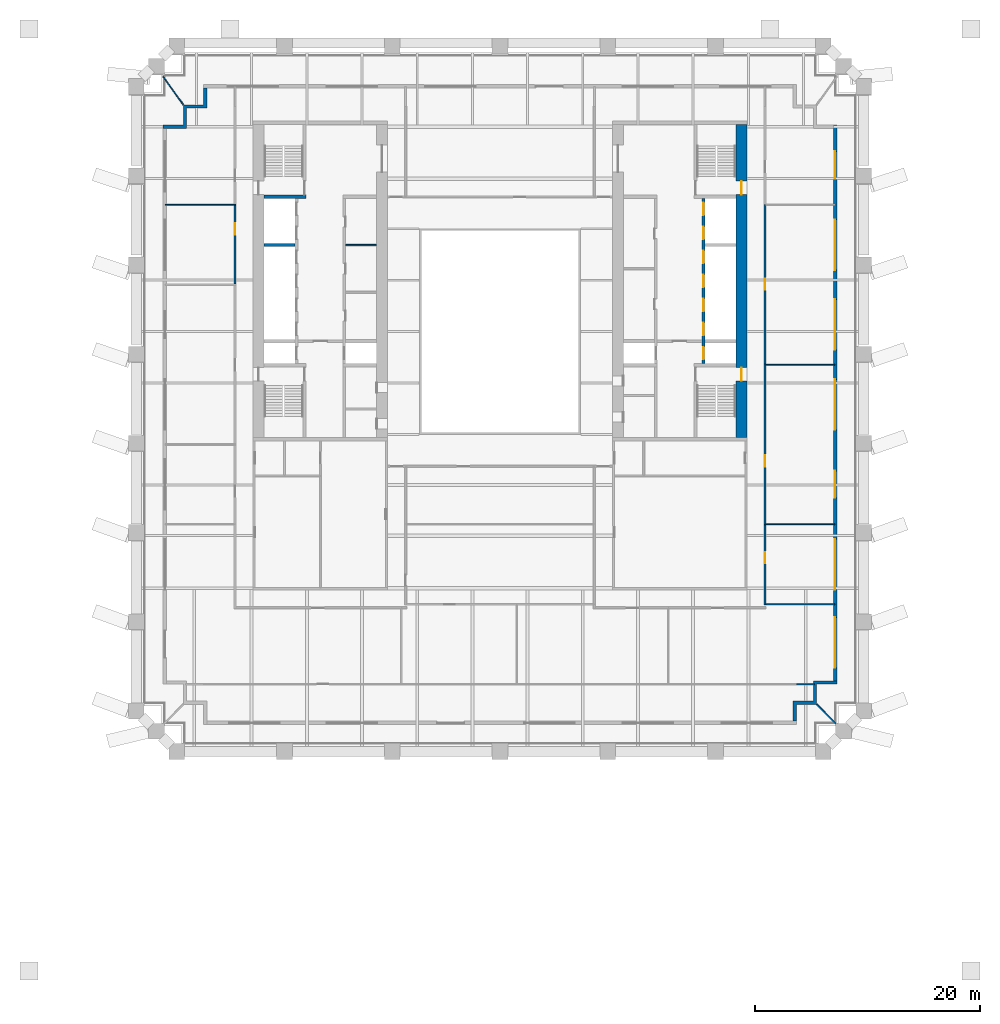
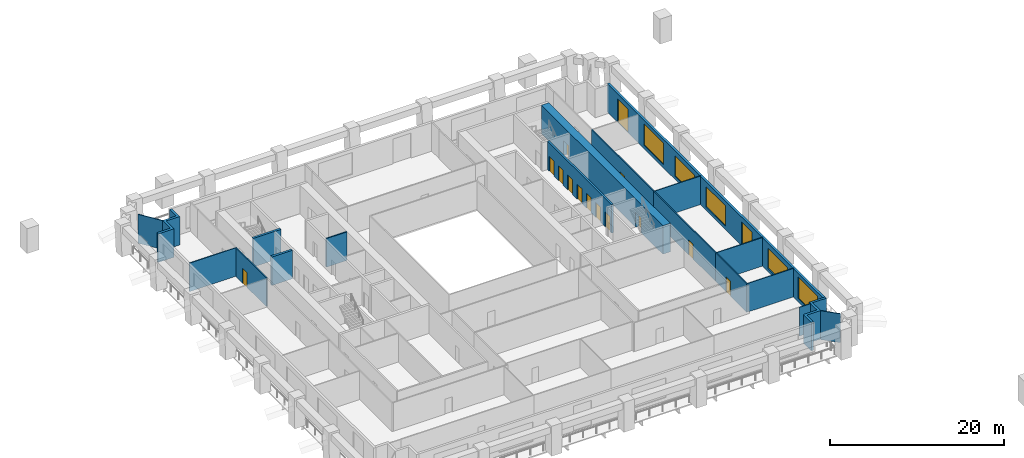
# One storey, part 6 of 10: 19 walls, 15 doors, 5 windows, 20 openings.
"""IFC4 building model written with IfcOpenShell, lengths in metres."""

from ifc_helpers import new_model, si_unit, direction, frame, frame_2d, origin, place, context, subcontext, project, spatial, polyline, rectangle, outline, extrude, material, layer, layer_set, type_object, element, fill, save


model = new_model("IFC4")

# Units and contexts
model_context = context("Model", 3, precision=1e-05, world=origin(), true_north=direction((0.0, 1.0)))
body_context = subcontext(model_context, "Body", "Model", "MODEL_VIEW")
ifc_project = project(units=[si_unit("LENGTHUNIT", "METRE"), si_unit("AREAUNIT", "SQUARE_METRE"), si_unit("VOLUMEUNIT", "CUBIC_METRE"), si_unit("PLANEANGLEUNIT", "RADIAN"), si_unit("MASSUNIT", "GRAM", prefix="KILO")], contexts=[model_context])

# Site, building, storey
site_placement = place(None, origin())
site = spatial("IfcSite", under=ifc_project, at=site_placement, CompositionType="ELEMENT")
building_placement = place(site_placement, origin())
building = spatial("IfcBuilding", under=site, at=building_placement, Name="Ogive Exchange Tower", CompositionType="ELEMENT")
storey_placement = place(building_placement, frame((0.0, 0.0, 43.800048828125)))
storey = spatial("IfcBuildingStorey", under=building, at=storey_placement, Name="L08", CompositionType="ELEMENT", Elevation=43.800048828125)

# Wall
ifc_material_1 = material(Name="Gypsum board partition")
ifc_layer_1 = layer(ifc_material_1, 0.14990234375)
ifc_layer_set_1 = layer_set([ifc_layer_1], Name="Core room partition 150 gypsum")
wall_type_1 = type_object("IfcWallType", Name="Core room partition 150 gypsum", PredefinedType="PARTITIONING", material=ifc_layer_set_1)
wall_1_placement = place(storey_placement, frame((-13.75, 14.699951171875, 0.0), z_axis=(0.0, 0.0, 1.0), x_axis=(1.0, 0.0, 0.0)))
element("IfcWall", 1, at=wall_1_placement, inside=storey, type_object=wall_type_1, Name="W row B bay partition 1-2", PredefinedType="PARTITIONING", context=body_context, shape_type="SweptSolid", body=[
    extrude(rectangle(XDim=2.75, YDim=0.14990234375, at=frame_2d((1.375, 0.0))), origin(), (0.0, 0.0, 1.0), 4.0),
])

# Wall, opening, door
ifc_material_2 = material(Name="Fire partition EI 60 150")
ifc_layer_2 = layer(ifc_material_2, 0.14990234375)
ifc_layer_set_2 = layer_set([ifc_layer_2], Name="Fire partition EI 60 150")
wall_type_2 = type_object("IfcWallType", Name="Fire partition EI 60 150", PredefinedType="PARTITIONING", material=ifc_layer_set_2)
wall_2_placement = place(storey_placement, frame((-23.60009765625, 11.219970703125, 0.0), z_axis=(0.0, 0.0, 1.0), x_axis=(0.0, 1.0, 0.0)))
wall_2 = element("IfcWall", 2, at=wall_2_placement, inside=storey, type_object=wall_type_2, Name="L08-PWL-010", PredefinedType="PARTITIONING", context=body_context, shape_type="SweptSolid", body=[
    extrude(rectangle(XDim=7.02001953125, YDim=0.14990234375, at=frame_2d((3.510009765625, 0.0))), origin(), (0.0, 0.0, 1.0), 4.0),
])
opening_1_placement = place(wall_2_placement, frame((4.419921875, 0.0, 0.0)))
opening_1 = element("IfcOpeningElement", 3, at=opening_1_placement, cuts=wall_2, Name="Opening L08-I04", PredefinedType="OPENING", context=body_context, shape_type="SweptSolid", body=[
    extrude(rectangle(XDim=1.0, YDim=2.10009765625, at=frame_2d((0.5, 1.050048828125))), frame((0.0, 0.0849609375, 0.0), z_axis=(0.0, -1.0, 0.0), x_axis=(1.0, 0.0, 0.0)), (0.0, 0.0, 1.0), 0.169921875),
])
ifc_material_3 = material(Name="Fire door FD 30S 1000 x 2100")
door_type_1 = type_object("IfcDoorType", Name="Fire door FD 30S 1000 x 2100", OperationType="NOTDEFINED", PredefinedType="DOOR", material=ifc_material_3)
door_1_placement = place(opening_1_placement, origin())
door_1 = element("IfcDoor", 4, at=door_1_placement, inside=storey, type_object=door_type_1, Name="L08-IDR-004", ObjectType="DT3", OperationType="SINGLE_SWING_LEFT", OverallHeight=2.10009765625, OverallWidth=1.0, PredefinedType="DOOR", context=body_context, shape_type="SweptSolid", body=[
    extrude(rectangle(XDim=1.0, YDim=2.10009765625, at=frame_2d((0.5, 1.050048828125))), frame((0.0, 0.02490234375, 0.0), z_axis=(0.0, -1.0, 0.0), x_axis=(1.0, 0.0, 0.0)), (0.0, 0.0, 1.0), 0.050048828125),
])
fill(opening_1, door_1)

wall_3_placement = place(storey_placement, frame((23.60009765625, -10.219970703125, 0.0), z_axis=(0.0, 0.0, 1.0), x_axis=(0.0, -1.0, 0.0)))
wall_3 = element("IfcWall", 5, at=wall_3_placement, inside=storey, type_object=wall_type_2, Name="L08-PWL-038", PredefinedType="PARTITIONING", context=body_context, shape_type="SweptSolid", body=[
    extrude(rectangle(XDim=7.1201171875, YDim=0.14990234375, at=frame_2d((3.56005859375, 0.0))), origin(), (0.0, 0.0, 1.0), 4.0),
])
opening_2_placement = place(wall_3_placement, frame((2.419921875, 0.0, 0.0)))
opening_2 = element("IfcOpeningElement", 6, at=opening_2_placement, cuts=wall_3, Name="Opening L08-I15", PredefinedType="OPENING", context=body_context, shape_type="SweptSolid", body=[
    extrude(rectangle(XDim=1.0, YDim=2.10009765625, at=frame_2d((0.5, 1.050048828125))), frame((0.0, 0.0849609375, 0.0), z_axis=(0.0, -1.0, 0.0), x_axis=(1.0, 0.0, 0.0)), (0.0, 0.0, 1.0), 0.169921875),
])
door_2_placement = place(opening_2_placement, origin())
door_2 = element("IfcDoor", 7, at=door_2_placement, inside=storey, type_object=door_type_1, Name="L08-IDR-015", ObjectType="DT3", OperationType="SINGLE_SWING_RIGHT", OverallHeight=2.10009765625, OverallWidth=1.0, PredefinedType="DOOR", context=body_context, shape_type="SweptSolid", body=[
    extrude(rectangle(XDim=1.0, YDim=2.10009765625, at=frame_2d((0.5, 1.050048828125))), frame((0.0, 0.02490234375, 0.0), z_axis=(0.0, -1.0, 0.0), x_axis=(1.0, 0.0, 0.0)), (0.0, 0.0, 1.0), 0.050048828125),
])
fill(opening_2, door_2)

wall_4_placement = place(storey_placement, frame((23.60009765625, 4.110107421875, 0.0), z_axis=(0.0, 0.0, 1.0), x_axis=(0.0, -1.0, 0.0)))
wall_4 = element("IfcWall", 8, at=wall_4_placement, inside=storey, type_object=wall_type_2, Name="L08-PWL-039", PredefinedType="PARTITIONING", context=body_context, shape_type="SweptSolid", body=[
    extrude(rectangle(XDim=14.330078125, YDim=0.14990234375, at=frame_2d((7.1650390625, 0.0))), origin(), (0.0, 0.0, 1.0), 4.0),
])
opening_3_placement = place(wall_4_placement, frame((8.1298828125, 0.0, 0.0)))
opening_3 = element("IfcOpeningElement", 9, at=opening_3_placement, cuts=wall_4, Name="Opening L08-I05", PredefinedType="OPENING", context=body_context, shape_type="SweptSolid", body=[
    extrude(rectangle(XDim=1.0, YDim=2.10009765625, at=frame_2d((0.5, 1.050048828125))), frame((0.0, 0.0849609375, 0.0), z_axis=(0.0, -1.0, 0.0), x_axis=(1.0, 0.0, 0.0)), (0.0, 0.0, 1.0), 0.169921875),
])
door_3_placement = place(opening_3_placement, origin())
door_3 = element("IfcDoor", 10, at=door_3_placement, inside=storey, type_object=door_type_1, Name="L08-IDR-005", ObjectType="DT3", OperationType="SINGLE_SWING_LEFT", OverallHeight=2.10009765625, OverallWidth=1.0, PredefinedType="DOOR", context=body_context, shape_type="SweptSolid", body=[
    extrude(rectangle(XDim=1.0, YDim=2.10009765625, at=frame_2d((0.5, 1.050048828125))), frame((0.0, 0.02490234375, 0.0), z_axis=(0.0, -1.0, 0.0), x_axis=(1.0, 0.0, 0.0)), (0.0, 0.0, 1.0), 0.050048828125),
])
fill(opening_3, door_3)

wall_5_placement = place(storey_placement, frame((23.60009765625, 18.340087890625, 0.0), z_axis=(0.0, 0.0, 1.0), x_axis=(0.0, -1.0, 0.0)))
wall_5 = element("IfcWall", 11, at=wall_5_placement, inside=storey, type_object=wall_type_2, Name="L08-PWL-041", PredefinedType="PARTITIONING", context=body_context, shape_type="SweptSolid", body=[
    extrude(rectangle(XDim=14.22998046875, YDim=0.14990234375, at=frame_2d((7.114990234375, 0.0))), origin(), (0.0, 0.0, 1.0), 4.0),
])
opening_4_placement = place(wall_5_placement, frame((6.6298828125, 0.0, 0.0)))
opening_4 = element("IfcOpeningElement", 12, at=opening_4_placement, cuts=wall_5, Name="Opening L08-I06", PredefinedType="OPENING", context=body_context, shape_type="SweptSolid", body=[
    extrude(rectangle(XDim=1.0, YDim=2.10009765625, at=frame_2d((0.5, 1.050048828125))), frame((0.0, 0.0849609375, 0.0), z_axis=(0.0, -1.0, 0.0), x_axis=(1.0, 0.0, 0.0)), (0.0, 0.0, 1.0), 0.169921875),
])
door_4_placement = place(opening_4_placement, origin())
door_4 = element("IfcDoor", 13, at=door_4_placement, inside=storey, type_object=door_type_1, Name="L08-IDR-006", ObjectType="DT3", OperationType="SINGLE_SWING_LEFT", OverallHeight=2.10009765625, OverallWidth=1.0, PredefinedType="DOOR", context=body_context, shape_type="SweptSolid", body=[
    extrude(rectangle(XDim=1.0, YDim=2.10009765625, at=frame_2d((0.5, 1.050048828125))), frame((0.0, 0.02490234375, 0.0), z_axis=(0.0, -1.0, 0.0), x_axis=(1.0, 0.0, 0.0)), (0.0, 0.0, 1.0), 0.050048828125),
])
fill(opening_4, door_4)

# Wall, openings, doors, windows
ifc_material_4 = material(Name="Precast concrete C40/50", Category="concrete")
ifc_layer_3 = layer(ifc_material_4, 0.300048828125)
ifc_layer_set_3 = layer_set([ifc_layer_3], Name="Limestone-faced wall 300")
wall_type_3 = type_object("IfcWallType", Name="Limestone-faced wall 300", PredefinedType="STANDARD", material=ifc_layer_set_3)
wall_6_placement = place(storey_placement, frame((29.85009765625, -24.10009765625, 0.0), z_axis=(0.0, 0.0, 1.0), x_axis=(0.0, 1.0, 0.0)))
wall_6 = element("IfcWall", 14, at=wall_6_placement, inside=storey, type_object=wall_type_3, Name="External wall E2", PredefinedType="STANDARD", context=body_context, shape_type="SweptSolid", body=[
    extrude(rectangle(XDim=49.5, YDim=0.300048828125, at=frame_2d((24.75, 0.0))), origin(), (0.0, 0.0, 1.0), 4.0),
])
opening_5_placement = place(wall_6_placement, frame((1.156982421875, 0.0, 0.449951171875)))
opening_5 = element("IfcOpeningElement", 15, at=opening_5_placement, cuts=wall_6, Name="Opening W1", PredefinedType="OPENING", context=body_context, shape_type="SweptSolid", body=[
    extrude(rectangle(XDim=4.5, YDim=3.050048828125, at=frame_2d((2.25, 1.52490234375))), frame((0.0, 0.159912109375, 0.0), z_axis=(0.0, -1.0, 0.0), x_axis=(1.0, 0.0, 0.0)), (0.0, 0.0, 1.0), 0.320068359375),
])
opening_6_placement = place(wall_6_placement, frame((8.121337890625, 0.0, 0.449951171875)))
opening_6 = element("IfcOpeningElement", 16, at=opening_6_placement, cuts=wall_6, Name="Opening W1E", PredefinedType="OPENING", context=body_context, shape_type="SweptSolid", body=[
    extrude(rectangle(XDim=4.5, YDim=2.824951171875, at=frame_2d((2.25, 1.41259765625))), frame((0.0, 0.159912109375, 0.0), z_axis=(0.0, -1.0, 0.0), x_axis=(1.0, 0.0, 0.0)), (0.0, 0.0, 1.0), 0.320068359375),
])
opening_7_placement = place(wall_6_placement, frame((16.28564453125, 0.0, 0.0)))
opening_7 = element("IfcOpeningElement", 17, at=opening_7_placement, cuts=wall_6, Name="Opening D1C", PredefinedType="OPENING", context=body_context, shape_type="SweptSolid", body=[
    extrude(rectangle(XDim=2.39990234375, YDim=3.324951171875, at=frame_2d((1.199951171875, 1.66259765625))), frame((0.0, 0.159912109375, 0.0), z_axis=(0.0, -1.0, 0.0), x_axis=(1.0, 0.0, 0.0)), (0.0, 0.0, 1.0), 0.320068359375),
])
opening_8_placement = place(wall_6_placement, frame((22.35009765625, 0.0, 0.449951171875)))
opening_8 = element("IfcOpeningElement", 18, at=opening_8_placement, cuts=wall_6, Name="Opening W1D", PredefinedType="OPENING", context=body_context, shape_type="SweptSolid", body=[
    extrude(rectangle(XDim=4.5, YDim=2.875, at=frame_2d((2.25, 1.4375))), frame((0.0, 0.159912109375, 0.0), z_axis=(0.0, -1.0, 0.0), x_axis=(1.0, 0.0, 0.0)), (0.0, 0.0, 1.0), 0.320068359375),
])
opening_9_placement = place(wall_6_placement, frame((29.464111328125, 0.0, 0.449951171875)))
opening_9 = element("IfcOpeningElement", 19, at=opening_9_placement, cuts=wall_6, Name="Opening W1D", PredefinedType="OPENING", context=body_context, shape_type="SweptSolid", body=[
    extrude(rectangle(XDim=4.5, YDim=2.875, at=frame_2d((2.25, 1.4375))), frame((0.0, 0.159912109375, 0.0), z_axis=(0.0, -1.0, 0.0), x_axis=(1.0, 0.0, 0.0)), (0.0, 0.0, 1.0), 0.320068359375),
])
opening_10_placement = place(wall_6_placement, frame((36.57861328125, 0.0, 0.449951171875)))
opening_10 = element("IfcOpeningElement", 20, at=opening_10_placement, cuts=wall_6, Name="Opening W1", PredefinedType="OPENING", context=body_context, shape_type="SweptSolid", body=[
    extrude(rectangle(XDim=4.5, YDim=3.050048828125, at=frame_2d((2.25, 1.52490234375))), frame((0.0, 0.159912109375, 0.0), z_axis=(0.0, -1.0, 0.0), x_axis=(1.0, 0.0, 0.0)), (0.0, 0.0, 1.0), 0.320068359375),
])
opening_11_placement = place(wall_6_placement, frame((44.742919921875, 0.0, 0.0)))
opening_11 = element("IfcOpeningElement", 21, at=opening_11_placement, cuts=wall_6, Name="Opening D1C", PredefinedType="OPENING", context=body_context, shape_type="SweptSolid", body=[
    extrude(rectangle(XDim=2.39990234375, YDim=3.324951171875, at=frame_2d((1.199951171875, 1.66259765625))), frame((0.0, 0.159912109375, 0.0), z_axis=(0.0, -1.0, 0.0), x_axis=(1.0, 0.0, 0.0)), (0.0, 0.0, 1.0), 0.320068359375),
])
ifc_material_5 = material(Name="Clear glass in bronze frame", Category="glass")
door_type_2 = type_object("IfcDoorType", Name="Sliding loggia door 2400 x 3325", OperationType="DOUBLE_DOOR_SLIDING", PredefinedType="DOOR", material=ifc_material_5)
door_5_placement = place(opening_7_placement, origin())
door_5 = element("IfcDoor", 22, at=door_5_placement, inside=storey, type_object=door_type_2, Name="Loggia door E02", OperationType="DOUBLE_DOOR_SLIDING", OverallHeight=3.324951171875, OverallWidth=2.39990234375, PredefinedType="DOOR", context=body_context, shape_type="SweptSolid", body=[
    extrude(rectangle(XDim=2.39990234375, YDim=3.324951171875, at=frame_2d((1.199951171875, 1.66259765625))), frame((0.0, 0.02490234375, 0.0), z_axis=(0.0, -1.0, 0.0), x_axis=(1.0, 0.0, 0.0)), (0.0, 0.0, 1.0), 0.050048828125),
])
fill(opening_7, door_5)
door_6_placement = place(opening_11_placement, origin())
door_6 = element("IfcDoor", 23, at=door_6_placement, inside=storey, type_object=door_type_2, Name="Loggia door E06", OperationType="DOUBLE_DOOR_SLIDING", OverallHeight=3.324951171875, OverallWidth=2.39990234375, PredefinedType="DOOR", context=body_context, shape_type="SweptSolid", body=[
    extrude(rectangle(XDim=2.39990234375, YDim=3.324951171875, at=frame_2d((1.199951171875, 1.66259765625))), frame((0.0, 0.02490234375, 0.0), z_axis=(0.0, -1.0, 0.0), x_axis=(1.0, 0.0, 0.0)), (0.0, 0.0, 1.0), 0.050048828125),
])
fill(opening_11, door_6)
window_type_1 = type_object("IfcWindowType", Name="Twin lancet window 4500 x 2825", PartitioningType="DOUBLE_PANEL_VERTICAL", PredefinedType="WINDOW", material=ifc_material_5)
window_1_placement = place(opening_6_placement, origin())
window_1 = element("IfcWindow", 24, at=window_1_placement, inside=storey, type_object=window_type_1, Name="Window E01", OverallHeight=2.824951171875, OverallWidth=4.5, PartitioningType="DOUBLE_PANEL_VERTICAL", PredefinedType="WINDOW", context=body_context, shape_type="SweptSolid", body=[
    extrude(rectangle(XDim=4.5, YDim=2.824951171875, at=frame_2d((2.25, 1.41259765625))), frame((0.0, 0.030029296875, 0.0), z_axis=(0.0, -1.0, 0.0), x_axis=(1.0, 0.0, 0.0)), (0.0, 0.0, 1.0), 0.06005859375),
])
fill(opening_6, window_1)
window_type_2 = type_object("IfcWindowType", Name="Twin lancet window 4500 x 2875", PartitioningType="DOUBLE_PANEL_VERTICAL", PredefinedType="WINDOW", material=ifc_material_5)
window_2_placement = place(opening_8_placement, origin())
window_2 = element("IfcWindow", 25, at=window_2_placement, inside=storey, type_object=window_type_2, Name="Window E03", OverallHeight=2.875, OverallWidth=4.5, PartitioningType="DOUBLE_PANEL_VERTICAL", PredefinedType="WINDOW", context=body_context, shape_type="SweptSolid", body=[
    extrude(rectangle(XDim=4.5, YDim=2.875, at=frame_2d((2.25, 1.4375))), frame((0.0, 0.030029296875, 0.0), z_axis=(0.0, -1.0, 0.0), x_axis=(1.0, 0.0, 0.0)), (0.0, 0.0, 1.0), 0.06005859375),
])
fill(opening_8, window_2)
window_3_placement = place(opening_9_placement, origin())
window_3 = element("IfcWindow", 26, at=window_3_placement, inside=storey, type_object=window_type_2, Name="Window E04", OverallHeight=2.875, OverallWidth=4.5, PartitioningType="DOUBLE_PANEL_VERTICAL", PredefinedType="WINDOW", context=body_context, shape_type="SweptSolid", body=[
    extrude(rectangle(XDim=4.5, YDim=2.875, at=frame_2d((2.25, 1.4375))), frame((0.0, 0.030029296875, 0.0), z_axis=(0.0, -1.0, 0.0), x_axis=(1.0, 0.0, 0.0)), (0.0, 0.0, 1.0), 0.06005859375),
])
fill(opening_9, window_3)
window_type_3 = type_object("IfcWindowType", Name="Twin lancet window 4500 x 3050", PartitioningType="DOUBLE_PANEL_VERTICAL", PredefinedType="WINDOW", material=ifc_material_5)
window_4_placement = place(opening_5_placement, origin())
window_4 = element("IfcWindow", 27, at=window_4_placement, inside=storey, type_object=window_type_3, Name="Window E00", OverallHeight=3.050048828125, OverallWidth=4.5, PartitioningType="DOUBLE_PANEL_VERTICAL", PredefinedType="WINDOW", context=body_context, shape_type="SweptSolid", body=[
    extrude(rectangle(XDim=4.5, YDim=3.050048828125, at=frame_2d((2.25, 1.52490234375))), frame((0.0, 0.030029296875, 0.0), z_axis=(0.0, -1.0, 0.0), x_axis=(1.0, 0.0, 0.0)), (0.0, 0.0, 1.0), 0.06005859375),
])
fill(opening_5, window_4)
window_5_placement = place(opening_10_placement, origin())
window_5 = element("IfcWindow", 28, at=window_5_placement, inside=storey, type_object=window_type_3, Name="Window E05", OverallHeight=3.050048828125, OverallWidth=4.5, PartitioningType="DOUBLE_PANEL_VERTICAL", PredefinedType="WINDOW", context=body_context, shape_type="SweptSolid", body=[
    extrude(rectangle(XDim=4.5, YDim=3.050048828125, at=frame_2d((2.25, 1.52490234375))), frame((0.0, 0.030029296875, 0.0), z_axis=(0.0, -1.0, 0.0), x_axis=(1.0, 0.0, 0.0)), (0.0, 0.0, 1.0), 0.06005859375),
])
fill(opening_10, window_5)

# Walls
wall_7_placement = place(storey_placement, origin())
element("IfcWall", 29, at=wall_7_placement, inside=storey, type_object=wall_type_3, Name="External corner wall C1", PredefinedType="STANDARD", context=body_context, shape_type="SweptSolid", body=[
    extrude(outline(polyline([(27.89990234375, -25.89990234375), (27.89990234375, -24.10009765625), (30.0, -24.10009765625), (30.0, -24.39990234375), (28.199951171875, -24.39990234375), (28.199951171875, -26.199951171875), (26.39990234375, -26.199951171875), (26.39990234375, -27.699951171875), (26.10009765625, -27.699951171875), (26.10009765625, -25.89990234375), (27.89990234375, -25.89990234375)])), origin(), (0.0, 0.0, 1.0), 4.0),
])
wall_8_placement = place(storey_placement, origin())
element("IfcWall", 30, at=wall_8_placement, inside=storey, type_object=wall_type_3, Name="External corner wall C3", PredefinedType="STANDARD", context=body_context, shape_type="SweptSolid", body=[
    extrude(outline(polyline([(-28.199951171875, 25.39990234375), (-28.199951171875, 27.199951171875), (-26.39990234375, 27.199951171875), (-26.39990234375, 28.699951171875), (-26.10009765625, 28.699951171875), (-26.10009765625, 26.89990234375), (-27.89990234375, 26.89990234375), (-27.89990234375, 25.10009765625), (-30.0, 25.10009765625), (-30.0, 25.39990234375), (-28.199951171875, 25.39990234375)])), origin(), (0.0, 0.0, 1.0), 4.0),
])
ifc_material_6 = material(Name="Laminated safety glass in steel frame", Category="steel")
ifc_layer_4 = layer(ifc_material_6, 0.10009765625)
ifc_layer_set_4 = layer_set([ifc_layer_4], Name="Loggia end screen 100")
wall_type_4 = type_object("IfcWallType", Name="Loggia end screen 100", PredefinedType="STANDARD", material=ifc_layer_set_4)
wall_9_placement = place(storey_placement, frame((28.199951171875, -26.199951171875, -0.050048828125), z_axis=(0.0, 0.0, 1.0), x_axis=(0.707106781187, -0.707106781187, 0.0)))
element("IfcWall", 31, at=wall_9_placement, inside=storey, type_object=wall_type_4, Name="Loggia end screen C1", PredefinedType="STANDARD", context=body_context, shape_type="SweptSolid", body=[
    extrude(rectangle(XDim=2.384521484375, YDim=0.10009765625, at=frame_2d((1.1923828125, 0.0))), origin(), (0.0, 0.0, 1.0), 4.050048828125),
])
wall_10_placement = place(storey_placement, frame((-28.199951171875, 27.199951171875, -0.050048828125), z_axis=(0.0, 0.0, 1.0), x_axis=(-0.585017780353, 0.811020466246, 0.0)))
element("IfcWall", 32, at=wall_10_placement, inside=storey, type_object=wall_type_4, Name="Loggia end screen C3", PredefinedType="STANDARD", context=body_context, shape_type="SweptSolid", body=[
    extrude(rectangle(XDim=3.0927734375, YDim=0.10009765625, at=frame_2d((1.54638671875, 0.0))), origin(), (0.0, 0.0, 1.0), 4.050048828125),
])
ifc_material_7 = material(Name="Partition 100 gypsum")
ifc_layer_5 = layer(ifc_material_7, 0.10009765625)
ifc_layer_set_5 = layer_set([ifc_layer_5], Name="Partition 100 gypsum")
wall_type_5 = type_object("IfcWallType", Name="Partition 100 gypsum", PredefinedType="PARTITIONING", material=ifc_layer_set_5)
wall_11_placement = place(storey_placement, frame((-29.800048828125, 18.2900390625, 0.0), z_axis=(0.0, 0.0, 1.0), x_axis=(1.0, 0.0, 0.0)))
element("IfcWall", 33, at=wall_11_placement, inside=storey, type_object=wall_type_5, Name="L08-PWL-003", PredefinedType="PARTITIONING", context=body_context, shape_type="SweptSolid", body=[
    extrude(rectangle(XDim=6.275146484375, YDim=0.10009765625, at=frame_2d((3.1376953125, 0.0))), origin(), (0.0, 0.0, 1.0), 4.0),
])
wall_12_placement = place(storey_placement, frame((23.675048828125, 4.06005859375, 0.0), z_axis=(0.0, 0.0, 1.0), x_axis=(1.0, 0.0, 0.0)))
element("IfcWall", 34, at=wall_12_placement, inside=storey, type_object=wall_type_5, Name="L08-PWL-040", PredefinedType="PARTITIONING", context=body_context, shape_type="SweptSolid", body=[
    extrude(rectangle(XDim=6.125, YDim=0.10009765625, at=frame_2d((3.0625, 0.0))), origin(), (0.0, 0.0, 1.0), 4.0),
])
wall_13_placement = place(storey_placement, frame((26.409912109375, -24.409912109375, 0.0), z_axis=(0.0, 0.0, 1.0), x_axis=(1.0, 0.0, 0.0)))
element("IfcWall", 35, at=wall_13_placement, inside=storey, type_object=wall_type_5, Name="L08-PWL-044", PredefinedType="PARTITIONING", context=body_context, shape_type="SweptSolid", body=[
    extrude(rectangle(XDim=1.590087890625, YDim=0.10009765625, at=frame_2d((0.794921875, 0.0))), origin(), (0.0, 0.0, 1.0), 4.0),
])
for number, where, z_axis, x_axis, name in (
    (36, (29.800048828125, -17.2900390625, 0.0), (0.0, 0.0, 1.0), (-1.0, 0.0, 0.0), "L08-PWL-045"),
    (37, (29.800048828125, -10.169921875, 0.0), (0.0, 0.0, 1.0), (-1.0, 0.0, 0.0), "L08-PWL-046"),
):
    element("IfcWall", number, at=place(storey_placement, frame(where, z_axis=z_axis, x_axis=x_axis)), inside=storey, type_object=wall_type_5, Name=name, PredefinedType="PARTITIONING", context=body_context, shape_type="SweptSolid", body=[
        extrude(rectangle(XDim=6.125, YDim=0.10009765625, at=frame_2d((3.0625, 0.0))), origin(), (0.0, 0.0, 1.0), 4.0),
    ])

# Wall, openings, doors
ifc_material_8 = material(Name="Concrete C70/85", Category="concrete")
ifc_layer_6 = layer(ifc_material_8, 1.0)
ifc_layer_set_6 = layer_set([ifc_layer_6], Name="RC core wall 1000 C70/85")
wall_type_6 = type_object("IfcWallType", Name="RC core wall 1000 C70/85", PredefinedType="SHEAR", material=ifc_layer_set_6)
wall_14_placement = place(storey_placement, frame((21.5, -2.449951171875, 0.0), z_axis=(0.0, 0.0, 1.0), x_axis=(0.0, 1.0, 0.0)))
wall_14 = element("IfcWall", 38, at=wall_14_placement, inside=storey, type_object=wall_type_6, Name="E outer wall", PredefinedType="SHEAR", context=body_context, shape_type="SweptSolid", body=[
    extrude(rectangle(XDim=27.89990234375, YDim=1.0, at=frame_2d((13.949951171875, 0.0))), origin(), (0.0, 0.0, 1.0), 4.0),
])
opening_12_placement = place(wall_14_placement, frame((5.050048828125, 0.0, 0.0)))
opening_12 = element("IfcOpeningElement", 39, at=opening_12_placement, cuts=wall_14, Name="Opening L08-C37", PredefinedType="OPENING", context=body_context, shape_type="SweptSolid", body=[
    extrude(rectangle(XDim=1.199951171875, YDim=2.10009765625, at=frame_2d((0.60009765625, 1.050048828125))), frame((0.0, 0.510009765625, 0.0), z_axis=(0.0, -1.0, 0.0), x_axis=(1.0, 0.0, 0.0)), (0.0, 0.0, 1.0), 1.02001953125),
])
opening_13_placement = place(wall_14_placement, frame((21.64990234375, 0.0, 0.0)))
opening_13 = element("IfcOpeningElement", 40, at=opening_13_placement, cuts=wall_14, Name="Opening L08-C39", PredefinedType="OPENING", context=body_context, shape_type="SweptSolid", body=[
    extrude(rectangle(XDim=1.199951171875, YDim=2.10009765625, at=frame_2d((0.60009765625, 1.050048828125))), frame((0.0, 0.510009765625, 0.0), z_axis=(0.0, -1.0, 0.0), x_axis=(1.0, 0.0, 0.0)), (0.0, 0.0, 1.0), 1.02001953125),
])
ifc_material_9 = material(Name="Steel fire door", Category="steel")
door_type_3 = type_object("IfcDoorType", Name="Stair door FD90 1200 x 2100", OperationType="NOTDEFINED", PredefinedType="DOOR", material=ifc_material_9)
door_7_placement = place(opening_12_placement, origin())
door_7 = element("IfcDoor", 41, at=door_7_placement, inside=storey, type_object=door_type_3, Name="Stair door", ObjectType="CD5", OperationType="SINGLE_SWING_LEFT", OverallHeight=2.10009765625, OverallWidth=1.199951171875, PredefinedType="DOOR", context=body_context, shape_type="SweptSolid", body=[
    extrude(rectangle(XDim=1.199951171875, YDim=2.10009765625, at=frame_2d((0.60009765625, 1.050048828125))), frame((0.0, 0.02490234375, 0.0), z_axis=(0.0, -1.0, 0.0), x_axis=(1.0, 0.0, 0.0)), (0.0, 0.0, 1.0), 0.050048828125),
])
fill(opening_12, door_7)
door_8_placement = place(opening_13_placement, origin())
door_8 = element("IfcDoor", 42, at=door_8_placement, inside=storey, type_object=door_type_3, Name="Stair door", ObjectType="CD5", OperationType="SINGLE_SWING_RIGHT", OverallHeight=2.10009765625, OverallWidth=1.199951171875, PredefinedType="DOOR", context=body_context, shape_type="SweptSolid", body=[
    extrude(rectangle(XDim=1.199951171875, YDim=2.10009765625, at=frame_2d((0.60009765625, 1.050048828125))), frame((0.0, 0.02490234375, 0.0), z_axis=(0.0, -1.0, 0.0), x_axis=(1.0, 0.0, 0.0)), (0.0, 0.0, 1.0), 0.050048828125),
])
fill(opening_13, door_8)

ifc_layer_7 = layer(ifc_material_8, 0.25)
ifc_layer_set_7 = layer_set([ifc_layer_7], Name="RC core wall 250 C70/85")
wall_type_7 = type_object("IfcWallType", Name="RC core wall 250 C70/85", PredefinedType="SHEAR", material=ifc_layer_set_7)
wall_15_placement = place(storey_placement, frame((18.125, 4.14990234375, 0.0), z_axis=(0.0, 0.0, 1.0), x_axis=(0.0, 1.0, 0.0)))
wall_15 = element("IfcWall", 43, at=wall_15_placement, inside=storey, type_object=wall_type_7, Name="E row A front wall", PredefinedType="SHEAR", context=body_context, shape_type="SweptSolid", body=[
    extrude(rectangle(XDim=14.7001953125, YDim=0.25, at=frame_2d((7.35009765625, 0.0))), origin(), (0.0, 0.0, 1.0), 4.0),
])
opening_14_placement = place(wall_15_placement, frame((0.371337890625, 0.0, 0.0)))
opening_14 = element("IfcOpeningElement", 44, at=opening_14_placement, cuts=wall_15, Name="Opening L08-C24", PredefinedType="OPENING", context=body_context, shape_type="SweptSolid", body=[
    extrude(rectangle(XDim=1.10009765625, YDim=2.10009765625, at=frame_2d((0.550048828125, 1.050048828125))), frame((0.0, 0.135009765625, 0.0), z_axis=(0.0, -1.0, 0.0), x_axis=(1.0, 0.0, 0.0)), (0.0, 0.0, 1.0), 0.27001953125),
])
opening_15_placement = place(wall_15_placement, frame((2.514404296875, 0.0, 0.0)))
opening_15 = element("IfcOpeningElement", 45, at=opening_15_placement, cuts=wall_15, Name="Opening L08-C25", PredefinedType="OPENING", context=body_context, shape_type="SweptSolid", body=[
    extrude(rectangle(XDim=1.10009765625, YDim=2.10009765625, at=frame_2d((0.550048828125, 1.050048828125))), frame((0.0, 0.135009765625, 0.0), z_axis=(0.0, -1.0, 0.0), x_axis=(1.0, 0.0, 0.0)), (0.0, 0.0, 1.0), 0.27001953125),
])
opening_16_placement = place(wall_15_placement, frame((4.656982421875, 0.0, 0.0)))
opening_16 = element("IfcOpeningElement", 46, at=opening_16_placement, cuts=wall_15, Name="Opening L08-C26", PredefinedType="OPENING", context=body_context, shape_type="SweptSolid", body=[
    extrude(rectangle(XDim=1.10009765625, YDim=2.10009765625, at=frame_2d((0.550048828125, 1.050048828125))), frame((0.0, 0.135009765625, 0.0), z_axis=(0.0, -1.0, 0.0), x_axis=(1.0, 0.0, 0.0)), (0.0, 0.0, 1.0), 0.27001953125),
])
opening_17_placement = place(wall_15_placement, frame((6.800048828125, 0.0, 0.0)))
opening_17 = element("IfcOpeningElement", 47, at=opening_17_placement, cuts=wall_15, Name="Opening L08-C27", PredefinedType="OPENING", context=body_context, shape_type="SweptSolid", body=[
    extrude(rectangle(XDim=1.10009765625, YDim=2.10009765625, at=frame_2d((0.550048828125, 1.050048828125))), frame((0.0, 0.135009765625, 0.0), z_axis=(0.0, -1.0, 0.0), x_axis=(1.0, 0.0, 0.0)), (0.0, 0.0, 1.0), 0.27001953125),
])
opening_18_placement = place(wall_15_placement, frame((8.94287109375, 0.0, 0.0)))
opening_18 = element("IfcOpeningElement", 48, at=opening_18_placement, cuts=wall_15, Name="Opening L08-C28", PredefinedType="OPENING", context=body_context, shape_type="SweptSolid", body=[
    extrude(rectangle(XDim=1.10009765625, YDim=2.10009765625, at=frame_2d((0.550048828125, 1.050048828125))), frame((0.0, 0.135009765625, 0.0), z_axis=(0.0, -1.0, 0.0), x_axis=(1.0, 0.0, 0.0)), (0.0, 0.0, 1.0), 0.27001953125),
])
opening_19_placement = place(wall_15_placement, frame((11.085693359375, 0.0, 0.0)))
opening_19 = element("IfcOpeningElement", 49, at=opening_19_placement, cuts=wall_15, Name="Opening L08-C29", PredefinedType="OPENING", context=body_context, shape_type="SweptSolid", body=[
    extrude(rectangle(XDim=1.10009765625, YDim=2.10009765625, at=frame_2d((0.550048828125, 1.050048828125))), frame((0.0, 0.135009765625, 0.0), z_axis=(0.0, -1.0, 0.0), x_axis=(1.0, 0.0, 0.0)), (0.0, 0.0, 1.0), 0.27001953125),
])
opening_20_placement = place(wall_15_placement, frame((13.228515625, 0.0, 0.0)))
opening_20 = element("IfcOpeningElement", 50, at=opening_20_placement, cuts=wall_15, Name="Opening L08-C30", PredefinedType="OPENING", context=body_context, shape_type="SweptSolid", body=[
    extrude(rectangle(XDim=1.10009765625, YDim=2.10009765625, at=frame_2d((0.550048828125, 1.050048828125))), frame((0.0, 0.135009765625, 0.0), z_axis=(0.0, -1.0, 0.0), x_axis=(1.0, 0.0, 0.0)), (0.0, 0.0, 1.0), 0.27001953125),
])
ifc_material_10 = material(Name="Stainless steel", Category="steel")
door_type_4 = type_object("IfcDoorType", Name="Lift landing door FD90 1100 x 2100", OperationType="SLIDING_TO_LEFT", PredefinedType="DOOR", material=ifc_material_10)
door_9_placement = place(opening_14_placement, origin())
door_9 = element("IfcDoor", 51, at=door_9_placement, inside=storey, type_object=door_type_4, Name="Lift landing door FF2", ObjectType="LD", OperationType="SLIDING_TO_LEFT", OverallHeight=2.10009765625, OverallWidth=1.10009765625, PredefinedType="DOOR", context=body_context, shape_type="SweptSolid", body=[
    extrude(rectangle(XDim=1.10009765625, YDim=2.10009765625, at=frame_2d((0.550048828125, 1.050048828125))), frame((0.0, 0.02490234375, 0.0), z_axis=(0.0, -1.0, 0.0), x_axis=(1.0, 0.0, 0.0)), (0.0, 0.0, 1.0), 0.050048828125),
])
fill(opening_14, door_9)
door_10_placement = place(opening_15_placement, origin())
door_10 = element("IfcDoor", 52, at=door_10_placement, inside=storey, type_object=door_type_4, Name="Lift landing door E-L1", ObjectType="LD", OperationType="SLIDING_TO_LEFT", OverallHeight=2.10009765625, OverallWidth=1.10009765625, PredefinedType="DOOR", context=body_context, shape_type="SweptSolid", body=[
    extrude(rectangle(XDim=1.10009765625, YDim=2.10009765625, at=frame_2d((0.550048828125, 1.050048828125))), frame((0.0, 0.02490234375, 0.0), z_axis=(0.0, -1.0, 0.0), x_axis=(1.0, 0.0, 0.0)), (0.0, 0.0, 1.0), 0.050048828125),
])
fill(opening_15, door_10)
door_11_placement = place(opening_16_placement, origin())
door_11 = element("IfcDoor", 53, at=door_11_placement, inside=storey, type_object=door_type_4, Name="Lift landing door E-L2", ObjectType="LD", OperationType="SLIDING_TO_LEFT", OverallHeight=2.10009765625, OverallWidth=1.10009765625, PredefinedType="DOOR", context=body_context, shape_type="SweptSolid", body=[
    extrude(rectangle(XDim=1.10009765625, YDim=2.10009765625, at=frame_2d((0.550048828125, 1.050048828125))), frame((0.0, 0.02490234375, 0.0), z_axis=(0.0, -1.0, 0.0), x_axis=(1.0, 0.0, 0.0)), (0.0, 0.0, 1.0), 0.050048828125),
])
fill(opening_16, door_11)
door_12_placement = place(opening_17_placement, origin())
door_12 = element("IfcDoor", 54, at=door_12_placement, inside=storey, type_object=door_type_4, Name="Lift landing door E-L3", ObjectType="LD", OperationType="SLIDING_TO_LEFT", OverallHeight=2.10009765625, OverallWidth=1.10009765625, PredefinedType="DOOR", context=body_context, shape_type="SweptSolid", body=[
    extrude(rectangle(XDim=1.10009765625, YDim=2.10009765625, at=frame_2d((0.550048828125, 1.050048828125))), frame((0.0, 0.02490234375, 0.0), z_axis=(0.0, -1.0, 0.0), x_axis=(1.0, 0.0, 0.0)), (0.0, 0.0, 1.0), 0.050048828125),
])
fill(opening_17, door_12)
door_13_placement = place(opening_18_placement, origin())
door_13 = element("IfcDoor", 55, at=door_13_placement, inside=storey, type_object=door_type_4, Name="Lift landing door E-L4", ObjectType="LD", OperationType="SLIDING_TO_LEFT", OverallHeight=2.10009765625, OverallWidth=1.10009765625, PredefinedType="DOOR", context=body_context, shape_type="SweptSolid", body=[
    extrude(rectangle(XDim=1.10009765625, YDim=2.10009765625, at=frame_2d((0.550048828125, 1.050048828125))), frame((0.0, 0.02490234375, 0.0), z_axis=(0.0, -1.0, 0.0), x_axis=(1.0, 0.0, 0.0)), (0.0, 0.0, 1.0), 0.050048828125),
])
fill(opening_18, door_13)
door_14_placement = place(opening_19_placement, origin())
door_14 = element("IfcDoor", 56, at=door_14_placement, inside=storey, type_object=door_type_4, Name="Lift landing door E-SH1", ObjectType="LD", OperationType="SLIDING_TO_LEFT", OverallHeight=2.10009765625, OverallWidth=1.10009765625, PredefinedType="DOOR", context=body_context, shape_type="SweptSolid", body=[
    extrude(rectangle(XDim=1.10009765625, YDim=2.10009765625, at=frame_2d((0.550048828125, 1.050048828125))), frame((0.0, 0.02490234375, 0.0), z_axis=(0.0, -1.0, 0.0), x_axis=(1.0, 0.0, 0.0)), (0.0, 0.0, 1.0), 0.050048828125),
])
fill(opening_19, door_14)
door_15_placement = place(opening_20_placement, origin())
door_15 = element("IfcDoor", 57, at=door_15_placement, inside=storey, type_object=door_type_4, Name="Lift landing door E-SH2", ObjectType="LD", OperationType="SLIDING_TO_LEFT", OverallHeight=2.10009765625, OverallWidth=1.10009765625, PredefinedType="DOOR", context=body_context, shape_type="SweptSolid", body=[
    extrude(rectangle(XDim=1.10009765625, YDim=2.10009765625, at=frame_2d((0.550048828125, 1.050048828125))), frame((0.0, 0.02490234375, 0.0), z_axis=(0.0, -1.0, 0.0), x_axis=(1.0, 0.0, 0.0)), (0.0, 0.0, 1.0), 0.050048828125),
])
fill(opening_20, door_15)

# Walls
ifc_layer_8 = layer(ifc_material_8, 0.300048828125)
ifc_layer_set_8 = layer_set([ifc_layer_8], Name="RC core wall 300 C70/85")
wall_type_8 = type_object("IfcWallType", Name="RC core wall 300 C70/85", PredefinedType="SHEAR", material=ifc_layer_set_8)
wall_16_placement = place(storey_placement, frame((-21.0, 19.0, 0.0), z_axis=(0.0, 0.0, 1.0), x_axis=(1.0, 0.0, 0.0)))
element("IfcWall", 58, at=wall_16_placement, inside=storey, type_object=wall_type_8, Name="W stair N south wall", PredefinedType="SHEAR", context=body_context, shape_type="SweptSolid", body=[
    extrude(rectangle(XDim=3.699951171875, YDim=0.300048828125, at=frame_2d((1.85009765625, 0.0))), origin(), (0.0, 0.0, 1.0), 4.0),
])
wall_17_placement = place(storey_placement, frame((-21.0, 14.71435546875, 0.0), z_axis=(0.0, 0.0, 1.0), x_axis=(1.0, 0.0, 0.0)))
element("IfcWall", 59, at=wall_17_placement, inside=storey, type_object=wall_type_8, Name="W row A divider 5", PredefinedType="SHEAR", context=body_context, shape_type="SweptSolid", body=[
    extrude(rectangle(XDim=2.75, YDim=0.300048828125, at=frame_2d((1.375, 0.0))), origin(), (0.0, 0.0, 1.0), 4.0),
])

save(model, "model.ifc")
